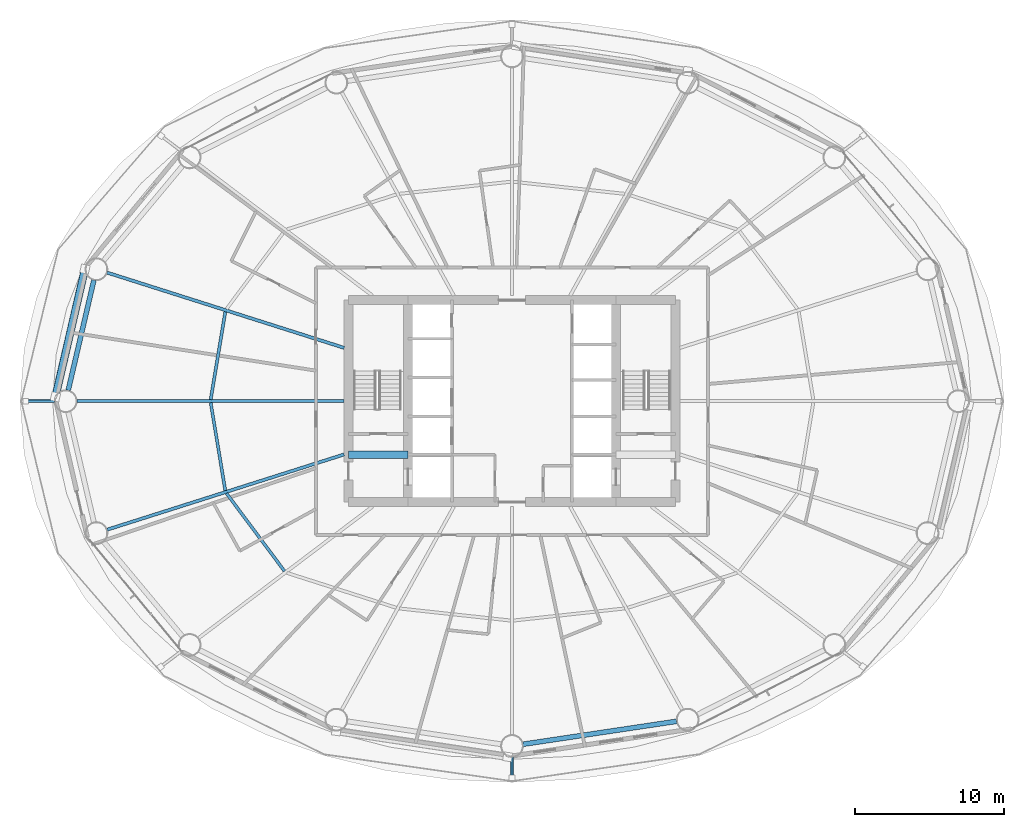
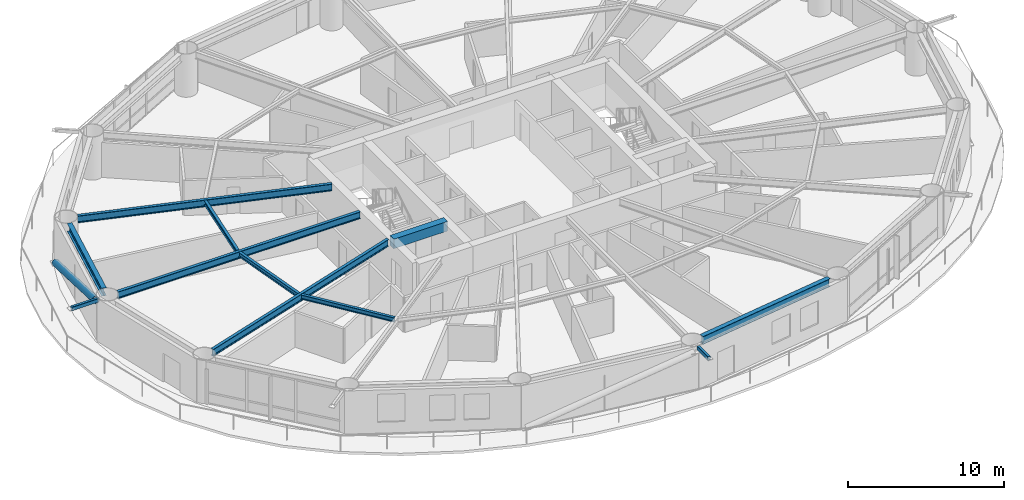
# One storey, part 5 of 28: 9 beams, 3 members.
"""IFC4 building model written with IfcOpenShell, lengths in metres."""

import ifcopenshell
import ifcopenshell.guid

model = None  # the IFC model being written
_history = None  # IfcOwnerHistory: only IFC2X3 demands one
_inside = {}  # id of a spatial element -> (the spatial element, [elements in it])
_under = {}  # id of a project, library or spatial element -> (it, [spatial elements below it])
_declared = {}  # id of a project -> (the project, [libraries it declares])
_typed = {}  # id of a type object -> (the type object, [elements of that type])
_made_of = {}  # id of a material, layer set ... -> (it, [elements and type objects made of it])


def new_model(schema):
    """Start an empty IFC model of exactly this schema.

    Asked for "IFC4X3", IfcOpenShell would pick the latest addendum, in which some entities
    have other attributes; the version numbers below select the first issue.
    IFC2X3 requires an IfcOwnerHistory on every rooted entity: one is made here for all.
    """
    global model, _history
    if schema == "IFC4X3":
        model = ifcopenshell.file(schema_version=(4, 3, 0, 0))
    else:
        model = ifcopenshell.file(schema=schema)
    _inside.clear()
    _under.clear()
    _declared.clear()
    _typed.clear()
    _made_of.clear()
    _history = None
    if model.schema == "IFC2X3":
        org = make("IfcOrganization", Name="unknown")
        user = make(
            "IfcPersonAndOrganization",
            ThePerson=make("IfcPerson", FamilyName="unknown"),
            TheOrganization=org,
        )
        app = make(
            "IfcApplication",
            ApplicationDeveloper=org,
            Version="unknown",
            ApplicationFullName="unknown",
            ApplicationIdentifier="unknown",
        )
        _history = make(
            "IfcOwnerHistory",
            OwningUser=user,
            OwningApplication=app,
            ChangeAction="ADDED",
            CreationDate=0,
        )
    return model


def make(cls, **values):
    """One entity of the class cls with the attributes given. An attribute that is None is left unset."""
    return model.create_entity(
        cls, **{name: value for name, value in values.items() if value is not None}
    )


def rooted(cls, **values):
    """An entity with a GlobalId (a new one), such as an element, a storey or a relation."""
    return make(cls, GlobalId=ifcopenshell.guid.new(), OwnerHistory=_history, **values)


def si_unit(unit_type, name, prefix=None):
    """IfcSIUnit, for example si_unit("LENGTHUNIT", "METRE", prefix="MILLI")."""
    return make("IfcSIUnit", UnitType=unit_type, Prefix=prefix, Name=name)


def assignment(units):
    """IfcUnitAssignment: the units of a project."""
    return None if units is None else make("IfcUnitAssignment", Units=units)


def point(xyz):
    """IfcCartesianPoint."""
    return None if xyz is None else make("IfcCartesianPoint", Coordinates=xyz)


def direction(xyz):
    """IfcDirection."""
    return None if xyz is None else make("IfcDirection", DirectionRatios=xyz)


def frame(location, z_axis=None, x_axis=None):
    """IfcAxis2Placement3D, a coordinate frame: its origin and axes. An axis left out is left unset."""
    return make(
        "IfcAxis2Placement3D",
        Location=point(location),
        Axis=direction(z_axis),
        RefDirection=direction(x_axis),
    )


def frame_2d(location, x_axis=None):
    """IfcAxis2Placement2D, a coordinate frame in the plane: its origin and x axis."""
    return make(
        "IfcAxis2Placement2D", Location=point(location), RefDirection=direction(x_axis)
    )


def origin():
    """The frame at (0, 0, 0) with its axes left unset."""
    return frame((0.0, 0.0, 0.0))


def origin_2d():
    """The frame at (0, 0) in the plane with its x axis left unset."""
    return frame_2d((0.0, 0.0))


def place(relative_to, where):
    """IfcLocalPlacement: puts the frame where relative to a parent placement (None: the world)."""
    return make(
        "IfcLocalPlacement", PlacementRelTo=relative_to, RelativePlacement=where
    )


def context(
    kind, dimensions, precision=None, world=None, true_north=None, identifier=None
):
    """IfcGeometricRepresentationContext, for example the 3D "Model" context."""
    return make(
        "IfcGeometricRepresentationContext",
        ContextIdentifier=identifier,
        ContextType=kind,
        CoordinateSpaceDimension=dimensions,
        Precision=precision,
        WorldCoordinateSystem=world,
        TrueNorth=true_north,
    )


def subcontext(parent, identifier, kind, view, scale=None):
    """IfcGeometricRepresentationSubContext, for example "Body" below "Model"."""
    return make(
        "IfcGeometricRepresentationSubContext",
        ContextIdentifier=identifier,
        ContextType=kind,
        ParentContext=parent,
        TargetScale=scale,
        TargetView=view,
    )


def project(units=None, contexts=None):
    """IfcProject with its units and contexts."""
    return rooted(
        "IfcProject",
        Name="project",
        RepresentationContexts=contexts,
        UnitsInContext=assignment(units),
    )


def spatial(cls, under=None, at=None, **own):
    """A site, building, storey or space (cls), placed at a placement, below another one or the project."""
    s = rooted(cls, ObjectPlacement=at, **own)
    if under is not None:
        _under.setdefault(under.id(), (under, []))[1].append(s)
    return s


def profile(cls, at=None, kind="AREA", **sizes):
    """A parametric profile (cls). Its sizes go by their IFC names, for example OverallWidth=200.0."""
    return make(cls, ProfileType=kind, Position=at, **sizes)


def rectangle(**sizes):
    """IfcRectangleProfileDef."""
    return profile("IfcRectangleProfileDef", **sizes)


def hollow_rectangle(**sizes):
    """IfcRectangleHollowProfileDef."""
    return profile("IfcRectangleHollowProfileDef", **sizes)


def hollow_circle(**sizes):
    """IfcCircleHollowProfileDef."""
    return profile("IfcCircleHollowProfileDef", **sizes)


def i_section(**sizes):
    """IfcIShapeProfileDef."""
    return profile("IfcIShapeProfileDef", **sizes)


def extrude(swept, where, along, depth):
    """IfcExtrudedAreaSolid: the profile swept, set in the frame where, extruded along a direction by depth."""
    return make(
        "IfcExtrudedAreaSolid",
        SweptArea=swept,
        Position=where,
        ExtrudedDirection=direction(along),
        Depth=depth,
    )


def shape(context_of_items, identifier, shape_type, items):
    """IfcShapeRepresentation: the items that make up one representation, for example the "Body"."""
    return make(
        "IfcShapeRepresentation",
        ContextOfItems=context_of_items,
        RepresentationIdentifier=identifier,
        RepresentationType=shape_type,
        Items=items,
    )


def material(Name=None, Category=None):
    """IfcMaterial."""
    return make("IfcMaterial", Name=Name, Category=Category)


def material_profile(
    of_material, cross_section, Name=None, Category=None, Priority=None
):
    """IfcMaterialProfile: a cross section and its material."""
    return make(
        "IfcMaterialProfile",
        Name=Name,
        Material=of_material,
        Profile=cross_section,
        Priority=Priority,
        Category=Category,
    )


def profile_set(profiles, Name=None, composite=None):
    """IfcMaterialProfileSet."""
    return make(
        "IfcMaterialProfileSet",
        Name=Name,
        MaterialProfiles=profiles,
        CompositeProfile=composite,
    )


def made_of(thing, what):
    """Note that an element or type object is made of a material, layer set ...; save() writes the relation."""
    if what is not None:
        _made_of.setdefault(what.id(), (what, []))[1].append(thing)
    return thing


def type_object(cls, material=None, **own):
    """A type object (cls), such as IfcWallType, which elements share."""
    return made_of(rooted(cls, **own), material)


def element(
    cls,
    number,
    at=None,
    inside=None,
    cuts=None,
    type_object=None,
    material=None,
    context=None,
    identifier="Body",
    shape_type=None,
    held_by="IfcProductDefinitionShape",
    body=None,
    shapes=None,
    **own,
):
    """One element of the class cls, such as IfcWall. Its Tag is "e" and its number.

    at: its placement. inside: the storey or other place that contains it. cuts: it is an
    opening in that element (IfcRelVoidsElement). A single representation is given by context,
    identifier, shape_type and body (its items); several are given by shapes. held_by: the class
    of the entity that holds the representations. save() writes the other relations.
    """
    e = rooted(cls, Tag="e%d" % number, ObjectPlacement=at, **own)
    if body is not None:
        shapes = [shape(context, identifier, shape_type, body)]
    if shapes is not None:
        e.Representation = make(held_by, Representations=shapes)
    if inside is not None:
        _inside.setdefault(inside.id(), (inside, []))[1].append(e)
    if cuts is not None:
        rooted(
            "IfcRelVoidsElement", RelatingBuildingElement=cuts, RelatedOpeningElement=e
        )
    if type_object is not None:
        _typed.setdefault(type_object.id(), (type_object, []))[1].append(e)
    return made_of(e, material)


def aggregate(whole, parts):
    """IfcRelAggregates: a whole, such as a stair, and the parts it consists of."""
    return rooted("IfcRelAggregates", RelatingObject=whole, RelatedObjects=parts)


def save(model, path):
    """Write the relations noted so far, then the file.

    IfcRelAggregates (storeys below a building ...), IfcRelContainedInSpatialStructure (elements
    in a storey), IfcRelDefinesByType, IfcRelAssociatesMaterial and IfcRelDeclares: one each for
    every whole, place, type object, material and project.
    """
    for whole, parts in _under.values():
        aggregate(whole, parts)
    for where, things in _inside.values():
        rooted(
            "IfcRelContainedInSpatialStructure",
            RelatedElements=things,
            RelatingStructure=where,
        )
    for kind, things in _typed.values():
        rooted("IfcRelDefinesByType", RelatedObjects=things, RelatingType=kind)
    for what, things in _made_of.values():
        rooted("IfcRelAssociatesMaterial", RelatedObjects=things, RelatingMaterial=what)
    for by, libraries in _declared.values():
        rooted("IfcRelDeclares", RelatingContext=by, RelatedDefinitions=libraries)
    model.write(path)


model = new_model("IFC4")

# Units and contexts
model_context = context("Model", 3, precision=1e-05, world=origin(), true_north=direction((0.0, 1.0)))
body_context = subcontext(model_context, "Body", "Model", "MODEL_VIEW")
ifc_project = project(units=[si_unit("LENGTHUNIT", "METRE"), si_unit("AREAUNIT", "SQUARE_METRE"), si_unit("VOLUMEUNIT", "CUBIC_METRE"), si_unit("PLANEANGLEUNIT", "RADIAN"), si_unit("MASSUNIT", "GRAM", prefix="KILO")], contexts=[model_context])

# Site, building, storey
site_placement = place(None, origin())
site = spatial("IfcSite", under=ifc_project, at=site_placement, CompositionType="ELEMENT")
building_placement = place(site_placement, origin())
building = spatial("IfcBuilding", under=site, at=building_placement, Name="Sarneth Arch Tower", CompositionType="ELEMENT")
storey_placement = place(building_placement, frame((0.0, 0.0, 31.800048828125)))
storey = spatial("IfcBuildingStorey", under=building, at=storey_placement, Name="L06", CompositionType="ELEMENT", Elevation=31.800048828125)

# Beams
ifc_material_1 = material(Name="Steel S355", Category="steel")
ifc_material_profile_1 = material_profile(ifc_material_1, i_section(OverallWidth=0.202880859375, OverallDepth=0.346923828125, WebThickness=0.0078125, FlangeThickness=0.013427734375, FilletRadius=0.014892578125, at=origin_2d()), Name="W360x64")
ifc_profile_set_1 = profile_set([ifc_material_profile_1], Name="Steel S355")
beam_type_1 = type_object("IfcBeamType", Name="BM-JOIST-360C", PredefinedType="JOIST", material=ifc_profile_set_1)
for number, where, z_axis, x_axis, name in (
    (1, (28.70703125, 48.013916015625, 3.20654296875), (-0.16394288124, -0.986469833138, 0.0), (0.986469833138, -0.16394288124, 0.0), "L06 Secondary floor joist 08"),
    (2, (27.72509765625, 41.89453125, 3.20654296875), (0.16394288124, -0.986469833138, 0.0), (0.986469833138, 0.16394288124, 0.0), "L06 Secondary floor joist 09"),
):
    element("IfcBeam", number, at=place(storey_placement, frame(where, z_axis=z_axis, x_axis=x_axis)), inside=storey, type_object=beam_type_1, Name=name, PredefinedType="JOIST", context=body_context, shape_type="SweptSolid", body=[
        extrude(i_section(OverallWidth=0.202880859375, OverallDepth=0.346923828125, WebThickness=0.0078125, FlangeThickness=0.013427734375, FilletRadius=0.014892578125, at=origin_2d()), origin(), (0.0, 0.0, 1.0), 5.989501953125),
    ])
beam_1_placement = place(storey_placement, frame((28.78857421875, 35.794921875, 3.20654296875), z_axis=(0.597700490469, -0.801719479428, 0.0), x_axis=(0.801719479428, 0.597700490469, 0.0)))
element("IfcBeam", 3, at=beam_1_placement, inside=storey, type_object=beam_type_1, Name="L06 Secondary floor joist 10", PredefinedType="JOIST", context=body_context, shape_type="SweptSolid", body=[
    extrude(i_section(OverallWidth=0.202880859375, OverallDepth=0.346923828125, WebThickness=0.0078125, FlangeThickness=0.013427734375, FilletRadius=0.014892578125, at=origin_2d()), origin(), (0.0, 0.0, 1.0), 6.5302734375),
])
ifc_material_2 = material(Name="Concrete C50/60", Category="concrete")
ifc_material_profile_2 = material_profile(ifc_material_2, rectangle(XDim=0.5, YDim=0.75, at=origin_2d()), Name="RC-500x750")
ifc_profile_set_2 = profile_set([ifc_material_profile_2], Name="Concrete C50/60")
beam_type_2 = type_object("IfcBeamType", Name="BM-LINTEL-RC", PredefinedType="LINTEL", material=ifc_profile_set_2)
beam_2_placement = place(storey_placement, frame((37.0, 38.39990234375, 3.0048828125), z_axis=(1.0, 0.0, 0.0), x_axis=(0.0, 1.0, 0.0)))
element("IfcBeam", 4, at=beam_2_placement, inside=storey, type_object=beam_type_2, Name="L06 Core coupling lintel W", PredefinedType="LINTEL", context=body_context, shape_type="SweptSolid", body=[
    extrude(rectangle(XDim=0.5, YDim=0.75, at=origin_2d()), origin(), (0.0, 0.0, 1.0), 4.0),
])
ifc_material_3 = material(Name="Steel S355", Category="steel")
ifc_material_profile_3 = material_profile(ifc_material_3, i_section(OverallWidth=0.214111328125, OverallDepth=0.549072265625, WebThickness=0.0146484375, FlangeThickness=0.023681640625, FilletRadius=0.01806640625, at=origin_2d()), Name="W530x138")
ifc_profile_set_3 = profile_set([ifc_material_profile_3], Name="Steel S355")
beam_type_3 = type_object("IfcBeamType", Name="BM-RAD-530A", PredefinedType="BEAM", material=ifc_profile_set_3)
beam_3_placement = place(storey_placement, frame((36.699951171875, 45.58740234375, 3.10546875), z_axis=(-0.953119859464, 0.30259301627, 0.0), x_axis=(-0.30259301627, -0.953119859464, 0.0)))
element("IfcBeam", 5, at=beam_3_placement, inside=storey, type_object=beam_type_3, Name="L06 Radial floor girder 08", PredefinedType="BEAM", context=body_context, shape_type="SweptSolid", body=[
    extrude(i_section(OverallWidth=0.214111328125, OverallDepth=0.549072265625, WebThickness=0.0146484375, FlangeThickness=0.023681640625, FilletRadius=0.01806640625, at=origin_2d()), origin(), (0.0, 0.0, 1.0), 16.7353515625),
])
beam_4_placement = place(storey_placement, frame((36.699951171875, 42.0, 3.10546875), z_axis=(-1.0, 0.0, 0.0), x_axis=(0.0, -1.0, 0.0)))
element("IfcBeam", 6, at=beam_4_placement, inside=storey, type_object=beam_type_3, Name="L06 Radial floor girder 09", PredefinedType="BEAM", context=body_context, shape_type="SweptSolid", body=[
    extrude(i_section(OverallWidth=0.214111328125, OverallDepth=0.549072265625, WebThickness=0.0146484375, FlangeThickness=0.023681640625, FilletRadius=0.01806640625, at=origin_2d()), origin(), (0.0, 0.0, 1.0), 17.98486328125),
])
beam_5_placement = place(storey_placement, frame((36.699951171875, 38.41259765625, 3.10546875), z_axis=(-0.953119859464, -0.30259301627, 0.0), x_axis=(0.30259301627, -0.953119859464, 0.0)))
element("IfcBeam", 7, at=beam_5_placement, inside=storey, type_object=beam_type_3, Name="L06 Radial floor girder 10", PredefinedType="BEAM", context=body_context, shape_type="SweptSolid", body=[
    extrude(i_section(OverallWidth=0.214111328125, OverallDepth=0.549072265625, WebThickness=0.0146484375, FlangeThickness=0.023681640625, FilletRadius=0.01806640625, at=origin_2d()), origin(), (0.0, 0.0, 1.0), 16.7353515625),
])
ifc_material_4 = material(Name="Steel S355", Category="steel")
ifc_material_profile_4 = material_profile(ifc_material_4, i_section(OverallWidth=0.326904296875, OverallDepth=0.6220703125, WebThickness=0.015380859375, FlangeThickness=0.0244140625, FilletRadius=0.01904296875, at=origin_2d()), Name="W610x195")
ifc_profile_set_4 = profile_set([ifc_material_profile_4], Name="Steel S355")
beam_type_4 = type_object("IfcBeamType", Name="BM-SPAN-610A", PredefinedType="SPANDREL", material=ifc_profile_set_4)
beam_6_placement = place(storey_placement, frame((19.8642578125, 50.14794921875, 3.06884765625), z_axis=(-0.226982354826, -0.973898870827, 0.0), x_axis=(0.973898870827, -0.226982354826, 0.0)))
element("IfcBeam", 8, at=beam_6_placement, inside=storey, type_object=beam_type_4, Name="L06 Perimeter spandrel beam 08", PredefinedType="SPANDREL", context=body_context, shape_type="SweptSolid", body=[
    extrude(i_section(OverallWidth=0.326904296875, OverallDepth=0.6220703125, WebThickness=0.015380859375, FlangeThickness=0.0244140625, FilletRadius=0.01904296875, at=origin_2d()), origin(), (0.0, 0.0, 1.0), 7.6162109375),
])
beam_7_placement = place(storey_placement, frame((48.74169921875, 18.910888671875, 3.06884765625), z_axis=(0.989020169581, 0.147780594675, 0.0), x_axis=(-0.147780594675, 0.989020169581, 0.0)))
element("IfcBeam", 9, at=beam_7_placement, inside=storey, type_object=beam_type_4, Name="L06 Perimeter spandrel beam 13", PredefinedType="SPANDREL", context=body_context, shape_type="SweptSolid", body=[
    extrude(i_section(OverallWidth=0.326904296875, OverallDepth=0.6220703125, WebThickness=0.015380859375, FlangeThickness=0.0244140625, FilletRadius=0.01904296875, at=origin_2d()), origin(), (0.0, 0.0, 1.0), 10.44921875),
])

# Members
ifc_material_5 = material(Name="Steel S355", Category="steel")
ifc_material_profile_5 = material_profile(ifc_material_5, hollow_rectangle(XDim=0.199951171875, YDim=0.300048828125, WallThickness=0.012451171875, InnerFilletRadius=0.018798828125, OuterFilletRadius=0.03125, at=origin_2d()), Name="RHS300x200x12.5")
ifc_profile_set_5 = profile_set([ifc_material_profile_5], Name="Steel S355")
member_type_1 = type_object("IfcMemberType", Name="MEM-CANT-STRUT", PredefinedType="STRUT", material=ifc_profile_set_5)
member_1_placement = place(storey_placement, frame((17.215087890625, 42.0, 3.219970703125), z_axis=(-1.0, 0.0, 0.0), x_axis=(0.0, -1.0, 0.0)))
element("IfcMember", 10, at=member_1_placement, inside=storey, type_object=member_type_1, Name="L06 Balcony cantilever bracket 09", PredefinedType="STRUT", context=body_context, shape_type="SweptSolid", body=[
    extrude(hollow_rectangle(XDim=0.199951171875, YDim=0.300048828125, WallThickness=0.012451171875, InnerFilletRadius=0.018798828125, OuterFilletRadius=0.03125, at=origin_2d()), origin(), (0.0, 0.0, 1.0), 1.94921875),
])
member_2_placement = place(storey_placement, frame((48.0, 18.050048828125, 3.219970703125), z_axis=(0.0, -1.0, 0.0), x_axis=(1.0, 0.0, 0.0)))
element("IfcMember", 11, at=member_2_placement, inside=storey, type_object=member_type_1, Name="L06 Balcony cantilever bracket 13", PredefinedType="STRUT", context=body_context, shape_type="SweptSolid", body=[
    extrude(hollow_rectangle(XDim=0.199951171875, YDim=0.300048828125, WallThickness=0.012451171875, InnerFilletRadius=0.018798828125, OuterFilletRadius=0.03125, at=origin_2d()), origin(), (0.0, 0.0, 1.0), 1.400634765625),
])
ifc_material_6 = material(Name="Steel S355", Category="steel")
ifc_material_profile_6 = material_profile(ifc_material_6, hollow_circle(Radius=0.25390625, WallThickness=0.01611328125, at=origin_2d()), Name="CHS508x16")
ifc_profile_set_6 = profile_set([ifc_material_profile_6], Name="Steel S355")
member_type_2 = type_object("IfcMemberType", Name="MEM-DIAG-BR1", PredefinedType="BRACE", material=ifc_profile_set_6)
member_3_placement = place(storey_placement, frame((19.260986328125, 50.884521484375, 0.02001953125), z_axis=(-0.213332307958, -0.922814312474, 0.320785085492), x_axis=(0.974304339016, -0.225235554419, 0.0)))
element("IfcMember", 12, at=member_3_placement, inside=storey, type_object=member_type_2, Name="L06 Perimeter frame diagonal 08", PredefinedType="BRACE", context=body_context, shape_type="SweptSolid", body=[
    extrude(hollow_circle(Radius=0.25390625, WallThickness=0.01611328125, at=origin_2d()), origin(), (0.0, 0.0, 1.0), 9.31103515625),
])

save(model, "model.ifc")
